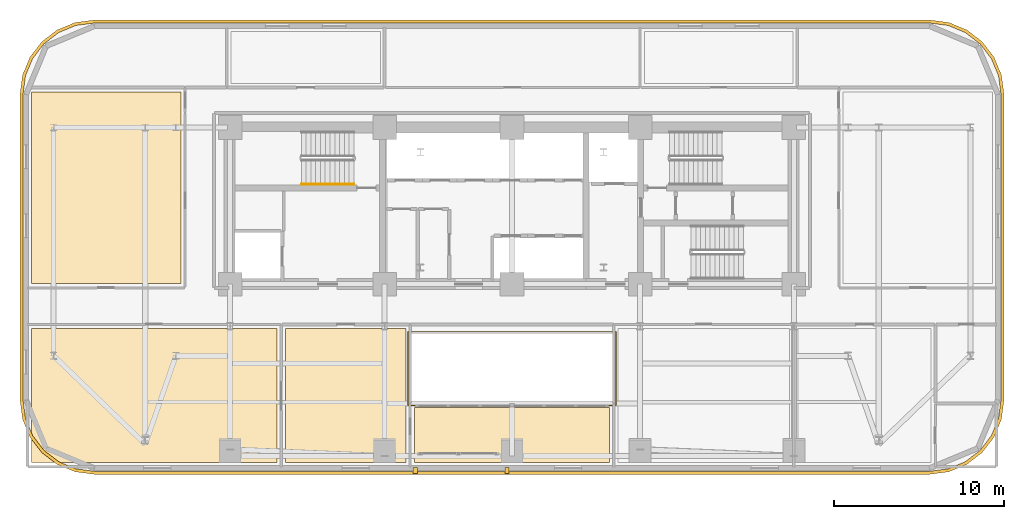
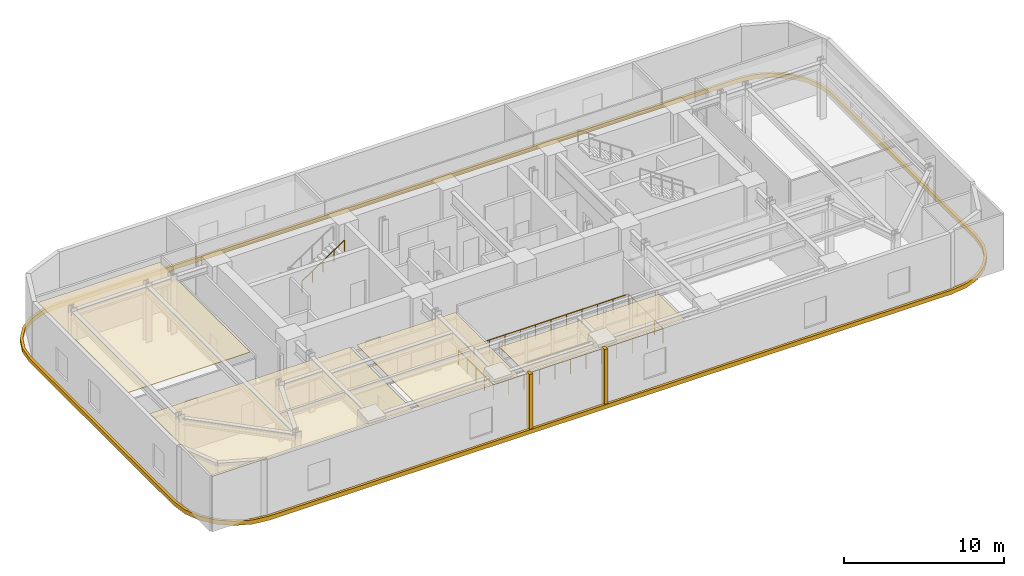
# One storey, part 12 of 14: 7 coverings, 2 railings.
"""IFC4 building model written with IfcOpenShell, lengths in metres."""

from ifc_helpers import new_model, si_unit, direction, frame, origin, origin_2d, place, context, subcontext, project, spatial, polyline, rectangle, outline, extrude, material, layer, layer_set, type_object, element, save


model = new_model("IFC4")

# Units and contexts
model_context = context("Model", 3, precision=1e-05, world=origin(), true_north=direction((0.0, 1.0)))
body_context = subcontext(model_context, "Body", "Model", "MODEL_VIEW")
ifc_project = project(units=[si_unit("LENGTHUNIT", "METRE"), si_unit("AREAUNIT", "SQUARE_METRE"), si_unit("VOLUMEUNIT", "CUBIC_METRE"), si_unit("PLANEANGLEUNIT", "RADIAN"), si_unit("MASSUNIT", "GRAM", prefix="KILO")], contexts=[model_context])

# Site, building, storey
site_placement = place(None, origin())
site = spatial("IfcSite", under=ifc_project, at=site_placement, CompositionType="ELEMENT")
building_placement = place(site_placement, origin())
building = spatial("IfcBuilding", under=site, at=building_placement, Name="Zarnavel Station Tower", CompositionType="ELEMENT")
storey_placement = place(building_placement, frame((0.0, 0.0, 89.800048828125)))
storey = spatial("IfcBuildingStorey", under=building, at=storey_placement, Name="L24", CompositionType="ELEMENT", Elevation=89.800048828125)

# Coverings
ifc_material_1 = material(Name="Perforated Gypsum and Mineral-Wool Acoustic Ceiling", Category="concrete")
ifc_layer = layer(ifc_material_1, 0.0400390625)
ifc_layer_set = layer_set([ifc_layer], Name="COV_CEIL_ACOUSTIC")
covering_type_1 = type_object("IfcCoveringType", Name="COV_CEIL_ACOUSTIC", PredefinedType="CEILING", material=ifc_layer_set)
covering_1_placement = place(storey_placement, frame((0.0, 0.0, 3.919921875)))
element("IfcCovering", 1, at=covering_1_placement, inside=storey, type_object=covering_type_1, Name="L24 SLREC Acoustic Ceiling", PredefinedType="CEILING", context=body_context, shape_type="SweptSolid", body=[
    extrude(outline(polyline([(0.510009765625, 17.31005859375), (14.949951171875, 17.31005859375), (14.949951171875, 25.199951171875), (0.510009765625, 25.199951171875), (0.510009765625, 17.31005859375)])), origin(), (0.0, 0.0, 1.0), 0.0400390625),
])
covering_2_placement = place(storey_placement, frame((0.0, 0.0, 3.919921875)))
element("IfcCovering", 2, at=covering_2_placement, inside=storey, type_object=covering_type_1, Name="L24 SLLNG Acoustic Ceiling", PredefinedType="CEILING", context=body_context, shape_type="SweptSolid", body=[
    extrude(outline(polyline([(15.449951171875, 17.31005859375), (22.550048828125, 17.31005859375), (22.550048828125, 25.199951171875), (15.449951171875, 25.199951171875), (15.449951171875, 17.31005859375)])), origin(), (0.0, 0.0, 1.0), 0.0400390625),
])
covering_3_placement = place(storey_placement, frame((0.0, 0.0, 3.919921875)))
element("IfcCovering", 3, at=covering_3_placement, inside=storey, type_object=covering_type_1, Name="L24 SLBAR Acoustic Ceiling", PredefinedType="CEILING", context=body_context, shape_type="SweptSolid", body=[
    extrude(outline(polyline([(23.050048828125, 17.31005859375), (34.550048828125, 17.31005859375), (34.550048828125, 20.550048828125), (23.050048828125, 20.550048828125), (23.050048828125, 17.31005859375)])), origin(), (0.0, 0.0, 1.0), 0.0400390625),
])
covering_4_placement = place(storey_placement, frame((0.0, 0.0, 3.919921875)))
element("IfcCovering", 4, at=covering_4_placement, inside=storey, type_object=covering_type_1, Name="L24 SLNW Acoustic Ceiling", PredefinedType="CEILING", context=body_context, shape_type="SweptSolid", body=[
    extrude(outline(polyline([(0.510009765625, 27.85009765625), (9.300048828125, 27.85009765625), (9.300048828125, 39.14990234375), (0.510009765625, 39.14990234375), (0.510009765625, 27.85009765625)])), origin(), (0.0, 0.0, 1.0), 0.0400390625),
])
ifc_material_2 = material(Name="Precast concrete C45/55 (Pale Travertine Slab Band)", Category="masonry")
covering_type_2 = type_object("IfcCoveringType", Name="COV_TRAVERTINE_BAND", PredefinedType="CLADDING", material=ifc_material_2)
covering_5_placement = place(storey_placement, frame((0.0, 0.0, -0.260009765625)))
element("IfcCovering", 5, at=covering_5_placement, inside=storey, type_object=covering_type_2, Name="L24 Pale Travertine Slab-Edge Band", PredefinedType="CLADDING", context=body_context, shape_type="SweptSolid", body=[
    extrude(outline(polyline([(53.39990234375, 16.6201171875), (54.53369140625, 16.769287109375), (55.590087890625, 17.206787109375), (56.4970703125, 17.90283203125), (57.193115234375, 18.81005859375), (57.630859375, 19.866455078125), (57.780029296875, 21.0), (57.780029296875, 39.0), (57.630859375, 40.133544921875), (57.193115234375, 41.18994140625), (56.4970703125, 42.09716796875), (55.590087890625, 42.793212890625), (54.53369140625, 43.230712890625), (53.39990234375, 43.3798828125), (4.199951171875, 43.3798828125), (3.06640625, 43.230712890625), (2.010009765625, 42.793212890625), (1.102783203125, 42.09716796875), (0.40673828125, 41.18994140625), (-0.03076171875, 40.133544921875), (-0.179931640625, 39.0), (-0.179931640625, 21.0), (-0.03076171875, 19.866455078125), (0.40673828125, 18.81005859375), (1.102783203125, 17.90283203125), (2.010009765625, 17.206787109375), (3.06640625, 16.769287109375), (4.199951171875, 16.6201171875), (53.39990234375, 16.6201171875)]), holes=[polyline([(53.39990234375, 16.800048828125), (54.487060546875, 16.943115234375), (55.5, 17.36279296875), (56.369873046875, 18.0302734375), (57.037353515625, 18.89990234375), (57.456787109375, 19.9130859375), (57.60009765625, 21.0), (57.60009765625, 39.0), (57.456787109375, 40.0869140625), (57.037353515625, 41.10009765625), (56.369873046875, 41.9697265625), (55.5, 42.63720703125), (54.487060546875, 43.056884765625), (53.39990234375, 43.199951171875), (4.199951171875, 43.199951171875), (3.113037109375, 43.056884765625), (2.10009765625, 42.63720703125), (1.230224609375, 41.9697265625), (0.562744140625, 41.10009765625), (0.14306640625, 40.0869140625), (0.0, 39.0), (0.0, 21.0), (0.14306640625, 19.9130859375), (0.562744140625, 18.89990234375), (1.230224609375, 18.0302734375), (2.10009765625, 17.36279296875), (3.113037109375, 16.943115234375), (4.199951171875, 16.800048828125), (53.39990234375, 16.800048828125)])]), origin(), (0.0, 0.0, 1.0), 0.320068359375),
])
for number, where, z_axis, x_axis, name in (
    (6, (23.10009765625, 16.85009765625, 0.0), (0.0, 0.0, 1.0), (1.0, 0.0, 0.0), "L24 Travertine Portal Loggia Vertical Jog West"),
    (7, (28.5, 16.85009765625, 0.0), (0.0, 0.0, 1.0), (1.0, 0.0, 0.0), "L24 Travertine Portal Loggia Vertical Jog East"),
):
    element("IfcCovering", number, at=place(storey_placement, frame(where, z_axis=z_axis, x_axis=x_axis)), inside=storey, type_object=covering_type_2, Name=name, PredefinedType="CLADDING", context=body_context, shape_type="SweptSolid", body=[
        extrude(rectangle(XDim=0.239990234375, YDim=0.360107421875, at=origin_2d()), origin(), (0.0, 0.0, 1.0), 4.239990234375),
    ])

# Railings
ifc_material_3 = material(Name="Painted Steel S355J2 Balustrade", Category="steel")
railing_type_1 = type_object("IfcRailingType", Name="GR_INT_1150", PredefinedType="GUARDRAIL", material=ifc_material_3)
railing_1_placement = place(storey_placement, frame((22.679931640625, 20.679931640625, 0.0)))
element("IfcRailing", 8, at=railing_1_placement, inside=storey, type_object=railing_type_1, Name="L24 Atrium Void Guardrail", PredefinedType="GUARDRAIL", context=body_context, shape_type="SweptSolid", body=[
    extrude(rectangle(XDim=0.048095703125, YDim=0.048095703125, at=origin_2d()), frame((0.001953125, 0.0, 1.1259765625), z_axis=(1.0, 0.0, 0.0), x_axis=(0.0, 1.0, 0.0)), (0.0, 0.0, 1.0), 12.236083984375),
    extrude(rectangle(XDim=0.048095703125, YDim=0.048095703125, at=origin_2d()), frame((12.239990234375, 0.001953125, 1.1259765625), z_axis=(0.0, 1.0, 0.0), x_axis=(-1.0, 0.0, 0.0)), (0.0, 0.0, 1.0), 4.336181640625),
    extrude(rectangle(XDim=0.048095703125, YDim=0.048095703125, at=origin_2d()), frame((12.238037109375, 4.340087890625, 1.1259765625), z_axis=(-1.0, 0.0, 0.0), x_axis=(0.0, -1.0, 0.0)), (0.0, 0.0, 1.0), 12.236083984375),
    extrude(rectangle(XDim=0.048095703125, YDim=0.048095703125, at=origin_2d()), frame((0.0, 4.338134765625, 1.1259765625), z_axis=(0.0, -1.0, 0.0), x_axis=(1.0, 0.0, 0.0)), (0.0, 0.0, 1.0), 4.336181640625),
    extrude(rectangle(XDim=0.0419921875, YDim=0.0419921875, at=origin_2d()), origin(), (0.0, 0.0, 1.0), 1.101806640625),
    extrude(rectangle(XDim=0.0419921875, YDim=0.0419921875, at=origin_2d()), frame((1.11279296875, 0.0, 0.0)), (0.0, 0.0, 1.0), 1.101806640625),
    extrude(rectangle(XDim=0.0419921875, YDim=0.0419921875, at=origin_2d()), frame((2.225341796875, 0.0, 0.0)), (0.0, 0.0, 1.0), 1.101806640625),
    extrude(rectangle(XDim=0.0419921875, YDim=0.0419921875, at=origin_2d()), frame((3.338134765625, 0.0, 0.0)), (0.0, 0.0, 1.0), 1.101806640625),
    extrude(rectangle(XDim=0.0419921875, YDim=0.0419921875, at=origin_2d()), frame((4.450927734375, 0.0, 0.0)), (0.0, 0.0, 1.0), 1.101806640625),
    extrude(rectangle(XDim=0.0419921875, YDim=0.0419921875, at=origin_2d()), frame((5.563720703125, 0.0, 0.0)), (0.0, 0.0, 1.0), 1.101806640625),
    extrude(rectangle(XDim=0.0419921875, YDim=0.0419921875, at=origin_2d()), frame((6.67626953125, 0.0, 0.0)), (0.0, 0.0, 1.0), 1.101806640625),
    extrude(rectangle(XDim=0.0419921875, YDim=0.0419921875, at=origin_2d()), frame((7.7890625, 0.0, 0.0)), (0.0, 0.0, 1.0), 1.101806640625),
    extrude(rectangle(XDim=0.0419921875, YDim=0.0419921875, at=origin_2d()), frame((8.90185546875, 0.0, 0.0)), (0.0, 0.0, 1.0), 1.101806640625),
    extrude(rectangle(XDim=0.0419921875, YDim=0.0419921875, at=origin_2d()), frame((10.0146484375, 0.0, 0.0)), (0.0, 0.0, 1.0), 1.101806640625),
    extrude(rectangle(XDim=0.0419921875, YDim=0.0419921875, at=origin_2d()), frame((11.127197265625, 0.0, 0.0)), (0.0, 0.0, 1.0), 1.101806640625),
    extrude(rectangle(XDim=0.0419921875, YDim=0.0419921875, at=origin_2d()), frame((12.239990234375, 0.0, 0.0)), (0.0, 0.0, 1.0), 1.101806640625),
    extrude(rectangle(XDim=0.0419921875, YDim=0.0419921875, at=origin_2d()), frame((12.239990234375, 1.0849609375, 0.0)), (0.0, 0.0, 1.0), 1.101806640625),
    extrude(rectangle(XDim=0.0419921875, YDim=0.0419921875, at=origin_2d()), frame((12.239990234375, 2.169921875, 0.0)), (0.0, 0.0, 1.0), 1.101806640625),
    extrude(rectangle(XDim=0.0419921875, YDim=0.0419921875, at=origin_2d()), frame((12.239990234375, 3.255126953125, 0.0)), (0.0, 0.0, 1.0), 1.101806640625),
    extrude(rectangle(XDim=0.0419921875, YDim=0.0419921875, at=origin_2d()), frame((12.239990234375, 4.340087890625, 0.0)), (0.0, 0.0, 1.0), 1.101806640625),
    extrude(rectangle(XDim=0.0419921875, YDim=0.0419921875, at=origin_2d()), frame((11.127197265625, 4.340087890625, 0.0)), (0.0, 0.0, 1.0), 1.101806640625),
    extrude(rectangle(XDim=0.0419921875, YDim=0.0419921875, at=origin_2d()), frame((10.0146484375, 4.340087890625, 0.0)), (0.0, 0.0, 1.0), 1.101806640625),
    extrude(rectangle(XDim=0.0419921875, YDim=0.0419921875, at=origin_2d()), frame((8.90185546875, 4.340087890625, 0.0)), (0.0, 0.0, 1.0), 1.101806640625),
    extrude(rectangle(XDim=0.0419921875, YDim=0.0419921875, at=origin_2d()), frame((7.7890625, 4.340087890625, 0.0)), (0.0, 0.0, 1.0), 1.101806640625),
    extrude(rectangle(XDim=0.0419921875, YDim=0.0419921875, at=origin_2d()), frame((6.67626953125, 4.340087890625, 0.0)), (0.0, 0.0, 1.0), 1.101806640625),
    extrude(rectangle(XDim=0.0419921875, YDim=0.0419921875, at=origin_2d()), frame((5.563720703125, 4.340087890625, 0.0)), (0.0, 0.0, 1.0), 1.101806640625),
    extrude(rectangle(XDim=0.0419921875, YDim=0.0419921875, at=origin_2d()), frame((4.450927734375, 4.340087890625, 0.0)), (0.0, 0.0, 1.0), 1.101806640625),
    extrude(rectangle(XDim=0.0419921875, YDim=0.0419921875, at=origin_2d()), frame((3.338134765625, 4.340087890625, 0.0)), (0.0, 0.0, 1.0), 1.101806640625),
    extrude(rectangle(XDim=0.0419921875, YDim=0.0419921875, at=origin_2d()), frame((2.225341796875, 4.340087890625, 0.0)), (0.0, 0.0, 1.0), 1.101806640625),
    extrude(rectangle(XDim=0.0419921875, YDim=0.0419921875, at=origin_2d()), frame((1.11279296875, 4.340087890625, 0.0)), (0.0, 0.0, 1.0), 1.101806640625),
    extrude(rectangle(XDim=0.0419921875, YDim=0.0419921875, at=origin_2d()), frame((0.0, 4.340087890625, 0.0)), (0.0, 0.0, 1.0), 1.101806640625),
    extrude(rectangle(XDim=0.0419921875, YDim=0.0419921875, at=origin_2d()), frame((0.0, 3.255126953125, 0.0)), (0.0, 0.0, 1.0), 1.101806640625),
    extrude(rectangle(XDim=0.0419921875, YDim=0.0419921875, at=origin_2d()), frame((0.0, 2.169921875, 0.0)), (0.0, 0.0, 1.0), 1.101806640625),
    extrude(rectangle(XDim=0.0419921875, YDim=0.0419921875, at=origin_2d()), frame((0.0, 1.0849609375, 0.0)), (0.0, 0.0, 1.0), 1.101806640625),
])
ifc_material_4 = material(Name="Brushed Stainless Steel S355J2 Handrail", Category="steel")
railing_type_2 = type_object("IfcRailingType", Name="HR_STAIR_900", PredefinedType="HANDRAIL", material=ifc_material_4)
railing_2_placement = place(storey_placement, frame((16.39990234375, 33.7099609375, 2.4375)))
element("IfcRailing", 9, at=railing_2_placement, inside=storey, type_object=railing_type_2, Name="L24 ST1 stair handrail 2", PredefinedType="HANDRAIL", context=body_context, shape_type="SweptSolid", body=[
    extrude(rectangle(XDim=0.048095703125, YDim=0.048095703125, at=origin_2d()), frame((0.001708984375, 0.0, 0.876953125), z_axis=(0.830913701846, 0.0, 0.55640131208), x_axis=(0.0, 1.0, 0.0)), (0.0, 0.0, 1.0), 3.702880859375),
    extrude(rectangle(XDim=0.0419921875, YDim=0.0419921875, at=origin_2d()), origin(), (0.0, 0.0, 1.0), 0.851806640625),
    extrude(rectangle(XDim=0.0419921875, YDim=0.0419921875, at=origin_2d()), frame((0.77001953125, 0.0, 0.515625)), (0.0, 0.0, 1.0), 0.851806640625),
    extrude(rectangle(XDim=0.0419921875, YDim=0.0419921875, at=origin_2d()), frame((1.5400390625, 0.0, 1.03125)), (0.0, 0.0, 1.0), 0.851806640625),
    extrude(rectangle(XDim=0.0419921875, YDim=0.0419921875, at=origin_2d()), frame((2.31005859375, 0.0, 1.546875)), (0.0, 0.0, 1.0), 0.851806640625),
    extrude(rectangle(XDim=0.0419921875, YDim=0.0419921875, at=origin_2d()), frame((3.080078125, 0.0, 2.0625)), (0.0, 0.0, 1.0), 0.851806640625),
])

save(model, "model.ifc")
